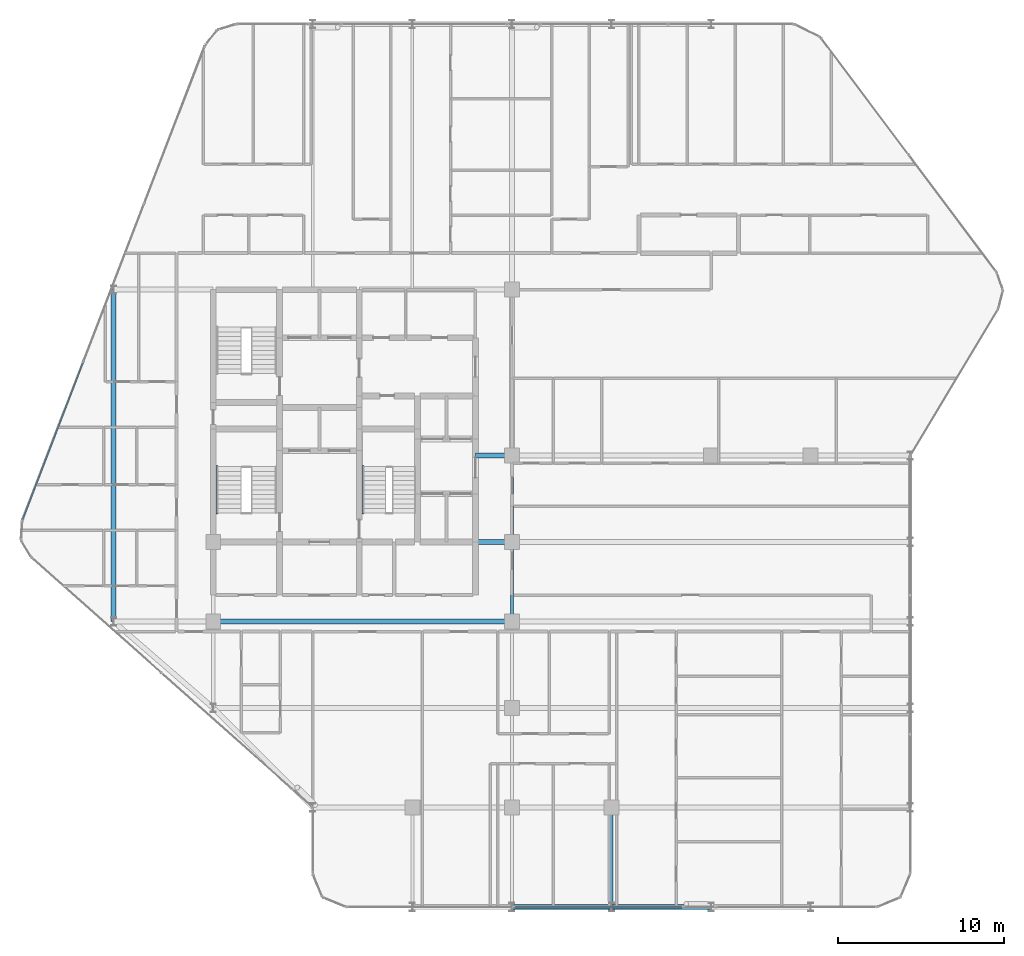
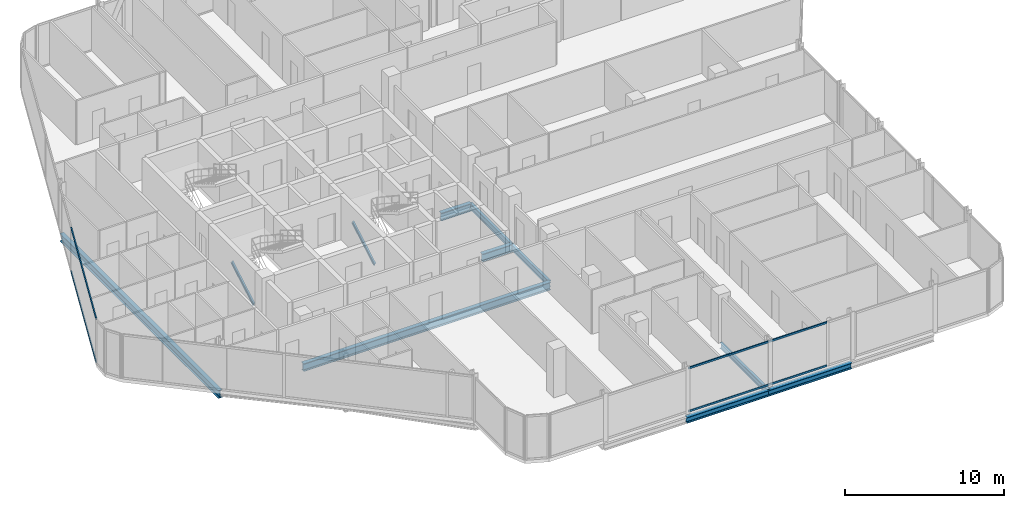
# One storey, part 8 of 31: 9 beams, 6 members, 2 elements without a shape of their own.
"""IFC4 building model written with IfcOpenShell, lengths in metres."""

from ifc_helpers import new_model, si_unit, direction, frame, origin, origin_2d, place, context, subcontext, project, spatial, hollow_rectangle, i_section, extrude, material, layer, layer_set, material_profile, profile_set, type_object, element, aggregate, save


model = new_model("IFC4")

# Units and contexts
model_context = context("Model", 3, precision=1e-05, world=origin(), true_north=direction((0.0, 1.0)))
body_context = subcontext(model_context, "Body", "Model", "MODEL_VIEW")
ifc_project = project(units=[si_unit("LENGTHUNIT", "METRE"), si_unit("AREAUNIT", "SQUARE_METRE"), si_unit("VOLUMEUNIT", "CUBIC_METRE"), si_unit("PLANEANGLEUNIT", "RADIAN"), si_unit("MASSUNIT", "GRAM", prefix="KILO")], contexts=[model_context])

# Site, building, storey
site_placement = place(None, origin())
site = spatial("IfcSite", under=ifc_project, at=site_placement, CompositionType="ELEMENT")
building_placement = place(site_placement, origin())
building = spatial("IfcBuilding", under=site, at=building_placement, Name="Keshet Zoharim Tower", CompositionType="ELEMENT")
storey_placement = place(building_placement, frame((0.0, 0.0, 129.800048828125)))
storey = spatial("IfcBuildingStorey", under=building, at=storey_placement, Name="L31", CompositionType="ELEMENT", Elevation=129.800048828125)

# Beams
ifc_material_1 = material(Name="Steel S355", Category="steel")
ifc_material_profile_1 = material_profile(ifc_material_1, i_section(OverallWidth=0.300048828125, OverallDepth=0.60009765625, WebThickness=0.015380859375, FlangeThickness=0.030029296875, FilletRadius=0.027099609375, at=origin_2d()), Name="HEB600")
ifc_profile_set_1 = profile_set([ifc_material_profile_1], Name="Steel S355")
beam_type_1 = type_object("IfcBeamType", Name="BM-CLK-HB600", PredefinedType="BEAM", material=ifc_profile_set_1)
for number, where, z_axis, x_axis, name in (
    (1, (30.800048828125, 22.699951171875, -0.614990234375), (1.0, 0.0, 0.0), (0.0, 1.0, 0.0), "L31 Core Wall Link Girder 01"),
    (2, (30.800048828125, 27.89990234375, -0.614990234375), (1.0, 0.0, 0.0), (0.0, 1.0, 0.0), "L31 Core Wall Link Girder 02"),
):
    element("IfcBeam", number, at=place(storey_placement, frame(where, z_axis=z_axis, x_axis=x_axis)), inside=storey, type_object=beam_type_1, Name=name, PredefinedType="BEAM", context=body_context, shape_type="SweptSolid", body=[
        extrude(i_section(OverallWidth=0.300048828125, OverallDepth=0.60009765625, WebThickness=0.015380859375, FlangeThickness=0.030029296875, FilletRadius=0.027099609375, at=origin_2d()), origin(), (0.0, 0.0, 1.0), 2.199951171875),
    ])
ifc_material_profile_2 = material_profile(ifc_material_1, i_section(OverallWidth=0.300048828125, OverallDepth=0.60009765625, WebThickness=0.015380859375, FlangeThickness=0.030029296875, FilletRadius=0.027099609375, at=origin_2d()), Name="HEB600")
ifc_profile_set_2 = profile_set([ifc_material_profile_2], Name="Steel S355")
beam_type_2 = type_object("IfcBeamType", Name="BM-LNG-HB600", PredefinedType="BEAM", material=ifc_profile_set_2)
beam_1_placement = place(storey_placement, frame((15.0, 17.89990234375, -0.614990234375), z_axis=(1.0, 0.0, 0.0), x_axis=(0.0, 1.0, 0.0)))
element("IfcBeam", 3, at=beam_1_placement, inside=storey, type_object=beam_type_2, Name="L31 Primary Girder X-012", PredefinedType="BEAM", context=body_context, shape_type="SweptSolid", body=[
    extrude(i_section(OverallWidth=0.300048828125, OverallDepth=0.60009765625, WebThickness=0.015380859375, FlangeThickness=0.030029296875, FilletRadius=0.027099609375, at=origin_2d()), origin(), (0.0, 0.0, 1.0), 18.0),
])
beam_2_placement = place(storey_placement, frame((9.0, 17.89990234375, -0.614990234375), z_axis=(0.0, 1.0, 0.0), x_axis=(-1.0, 0.0, 0.0)))
element("IfcBeam", 4, at=beam_2_placement, inside=storey, type_object=beam_type_2, Name="L31 Primary Girder Y-001", PredefinedType="BEAM", context=body_context, shape_type="SweptSolid", body=[
    extrude(i_section(OverallWidth=0.300048828125, OverallDepth=0.60009765625, WebThickness=0.015380859375, FlangeThickness=0.030029296875, FilletRadius=0.027099609375, at=origin_2d()), origin(), (0.0, 0.0, 1.0), 20.0),
])
ifc_material_profile_3 = material_profile(ifc_material_1, i_section(OverallWidth=0.18994140625, OverallDepth=0.449951171875, WebThickness=0.009521484375, FlangeThickness=0.0146484375, FilletRadius=0.02099609375, at=origin_2d()), Name="IPE450")
ifc_profile_set_3 = profile_set([ifc_material_profile_3], Name="Steel S355")
beam_type_3 = type_object("IfcBeamType", Name="BM-PRI-IP450", PredefinedType="BEAM", material=ifc_profile_set_3)
beam_3_placement = place(storey_placement, frame((33.0, 17.89990234375, -0.5400390625), z_axis=(0.0, 1.0, 0.0), x_axis=(-1.0, 0.0, 0.0)))
element("IfcBeam", 5, at=beam_3_placement, inside=storey, type_object=beam_type_3, Name="L31 Primary Girder Y-008", PredefinedType="BEAM", context=body_context, shape_type="SweptSolid", body=[
    extrude(i_section(OverallWidth=0.18994140625, OverallDepth=0.449951171875, WebThickness=0.009521484375, FlangeThickness=0.0146484375, FilletRadius=0.02099609375, at=origin_2d()), origin(), (0.0, 0.0, 1.0), 4.800048828125),
])
beam_4_placement = place(storey_placement, frame((33.0, 22.699951171875, -0.5400390625), z_axis=(0.0, 1.0, 0.0), x_axis=(-1.0, 0.0, 0.0)))
element("IfcBeam", 6, at=beam_4_placement, inside=storey, type_object=beam_type_3, Name="L31 Primary Girder Y-009", PredefinedType="BEAM", context=body_context, shape_type="SweptSolid", body=[
    extrude(i_section(OverallWidth=0.18994140625, OverallDepth=0.449951171875, WebThickness=0.009521484375, FlangeThickness=0.0146484375, FilletRadius=0.02099609375, at=origin_2d()), origin(), (0.0, 0.0, 1.0), 5.199951171875),
])
beam_5_placement = place(storey_placement, frame((39.0, 0.699951171875, -0.5400390625), z_axis=(0.0, 1.0, 0.0), x_axis=(-1.0, 0.0, 0.0)))
element("IfcBeam", 7, at=beam_5_placement, inside=storey, type_object=beam_type_3, Name="L31 Primary Girder Y-012", PredefinedType="BEAM", context=body_context, shape_type="SweptSolid", body=[
    extrude(i_section(OverallWidth=0.18994140625, OverallDepth=0.449951171875, WebThickness=0.009521484375, FlangeThickness=0.0146484375, FilletRadius=0.02099609375, at=origin_2d()), origin(), (0.0, 0.0, 1.0), 6.0),
])
ifc_material_profile_4 = material_profile(ifc_material_1, i_section(OverallWidth=0.300048828125, OverallDepth=0.449951171875, WebThickness=0.013916015625, FlangeThickness=0.02587890625, FilletRadius=0.027099609375, at=origin_2d()), Name="HEB450")
ifc_profile_set_4 = profile_set([ifc_material_profile_4], Name="Steel S355")
beam_type_4 = type_object("IfcBeamType", Name="BM-WEB-HB450", PredefinedType="BEAM", material=ifc_profile_set_4)
for number, where, z_axis, x_axis, name in (
    (8, (33.0, 0.699951171875, -0.5400390625), (1.0, 0.0, 0.0), (0.0, 1.0, 0.0), "L31 Primary Girder X-002"),
    (9, (39.0, 0.699951171875, -0.5400390625), (1.0, 0.0, 0.0), (0.0, 1.0, 0.0), "L31 Primary Girder X-003"),
):
    element("IfcBeam", number, at=place(storey_placement, frame(where, z_axis=z_axis, x_axis=x_axis)), inside=storey, type_object=beam_type_4, Name=name, PredefinedType="BEAM", context=body_context, shape_type="SweptSolid", body=[
        extrude(i_section(OverallWidth=0.300048828125, OverallDepth=0.449951171875, WebThickness=0.013916015625, FlangeThickness=0.02587890625, FilletRadius=0.027099609375, at=origin_2d()), origin(), (0.0, 0.0, 1.0), 6.0),
    ])

# Curtain wall, members
ifc_material_2 = material(Name="Aluminium 6063-T6", Category="aluminium")
ifc_layer = layer(ifc_material_2, 0.159912109375)
ifc_layer_set = layer_set([ifc_layer], Name="Aluminium 6063-T6")
curtain_wall_type = type_object("IfcCurtainWallType", Name="CW-SYS-03", PredefinedType="NOTDEFINED", material=ifc_layer_set)
curtain_wall_1_placement = place(storey_placement, origin())
curtain_wall_1 = element("IfcCurtainWall", 10, at=curtain_wall_1_placement, inside=storey, type_object=curtain_wall_type, Name="L31 Unitised Curtain Wall 03 Part 3", PredefinedType="NOTDEFINED")
ifc_material_profile_5 = material_profile(ifc_material_2, hollow_rectangle(XDim=0.080078125, YDim=0.139892578125, WallThickness=0.00390625, at=origin_2d()), Name="TRN-80x140")
ifc_profile_set_5 = profile_set([ifc_material_profile_5], Name="Aluminium 6063-T6")
member_type_1 = type_object("IfcMemberType", Name="CWT-T14", PredefinedType="USERDEFINED", material=ifc_profile_set_5)
member_1_placement = place(storey_placement, frame((43.251953125, 0.699951171875, 0.034912109375), z_axis=(-1.0, 0.0, 0.0), x_axis=(0.0, -1.0, 0.0)))
member_1 = element("IfcMember", 11, at=member_1_placement, type_object=member_type_1, Name="CW-03 transom 1.1", ObjectType="TRANSOM", PredefinedType="USERDEFINED", context=body_context, shape_type="SweptSolid", body=[
    extrude(hollow_rectangle(XDim=0.080078125, YDim=0.139892578125, WallThickness=0.00390625, at=origin_2d()), origin(), (0.0, 0.0, 1.0), 10.091064453125),
])
member_2_placement = place(storey_placement, frame((43.251953125, 0.699951171875, 3.349853515625), z_axis=(-1.0, 0.0, 0.0), x_axis=(0.0, -1.0, 0.0)))
member_2 = element("IfcMember", 12, at=member_2_placement, type_object=member_type_1, Name="CW-03 transom 1.2", ObjectType="TRANSOM", PredefinedType="USERDEFINED", context=body_context, shape_type="SweptSolid", body=[
    extrude(hollow_rectangle(XDim=0.080078125, YDim=0.139892578125, WallThickness=0.00390625, at=origin_2d()), origin(), (0.0, 0.0, 1.0), 10.091064453125),
])
aggregate(curtain_wall_1, [member_1, member_2])

curtain_wall_2_placement = place(storey_placement, origin())
curtain_wall_2 = element("IfcCurtainWall", 13, at=curtain_wall_2_placement, inside=storey, type_object=curtain_wall_type, Name="L31 Unitised Curtain Wall 10", PredefinedType="NOTDEFINED")
member_3_placement = place(storey_placement, frame((3.522216796875, 24.058349609375, 0.034912109375), z_axis=(0.358993631387, 0.93334000912, 0.0), x_axis=(-0.93334000912, 0.358993631387, 0.0)))
member_3 = element("IfcMember", 14, at=member_3_placement, type_object=member_type_1, Name="CW-03 transom 1.1", ObjectType="TRANSOM", PredefinedType="USERDEFINED", context=body_context, shape_type="SweptSolid", body=[
    extrude(hollow_rectangle(XDim=0.080078125, YDim=0.139892578125, WallThickness=0.00390625, at=origin_2d()), origin(), (0.0, 0.0, 1.0), 10.1181640625),
])
member_4_placement = place(storey_placement, frame((3.522216796875, 24.058349609375, 3.349853515625), z_axis=(0.358993631387, 0.93334000912, 0.0), x_axis=(-0.93334000912, 0.358993631387, 0.0)))
member_4 = element("IfcMember", 15, at=member_4_placement, type_object=member_type_1, Name="CW-03 transom 1.2", ObjectType="TRANSOM", PredefinedType="USERDEFINED", context=body_context, shape_type="SweptSolid", body=[
    extrude(hollow_rectangle(XDim=0.080078125, YDim=0.139892578125, WallThickness=0.00390625, at=origin_2d()), origin(), (0.0, 0.0, 1.0), 10.1181640625),
])
aggregate(curtain_wall_2, [member_3, member_4])

# Members
ifc_material_profile_6 = material_profile(ifc_material_1, i_section(OverallWidth=0.1201171875, OverallDepth=0.239990234375, WebThickness=0.006103515625, FlangeThickness=0.009765625, FilletRadius=0.014892578125, at=origin_2d()), Name="IPE240")
ifc_profile_set_6 = profile_set([ifc_material_profile_6], Name="Steel S355")
member_type_2 = type_object("IfcMemberType", Name="MB-STRG-IP240", PredefinedType="STRINGER", material=ifc_profile_set_6)
for number, where, z_axis, x_axis, name in (
    (16, (15.22998046875, 24.43994140625, 0.119873046875), (0.0, 0.86689568745, 0.49848958573), (-1.0, 0.0, 0.0), "L31 ST-01 Flight Steel Stringer"),
    (17, (24.030029296875, 24.43994140625, 0.119873046875), (0.0, 0.86689568745, 0.49848958573), (-1.0, 0.0, 0.0), "L31 ST-03 Flight Steel Stringer"),
):
    element("IfcMember", number, at=place(storey_placement, frame(where, z_axis=z_axis, x_axis=x_axis)), inside=storey, type_object=member_type_2, Name=name, PredefinedType="STRINGER", context=body_context, shape_type="SweptSolid", body=[
        extrude(i_section(OverallWidth=0.1201171875, OverallDepth=0.239990234375, WebThickness=0.006103515625, FlangeThickness=0.009765625, FilletRadius=0.014892578125, at=origin_2d()), origin(), (0.0, 0.0, 1.0), 3.22998046875),
    ])

save(model, "model.ifc")
